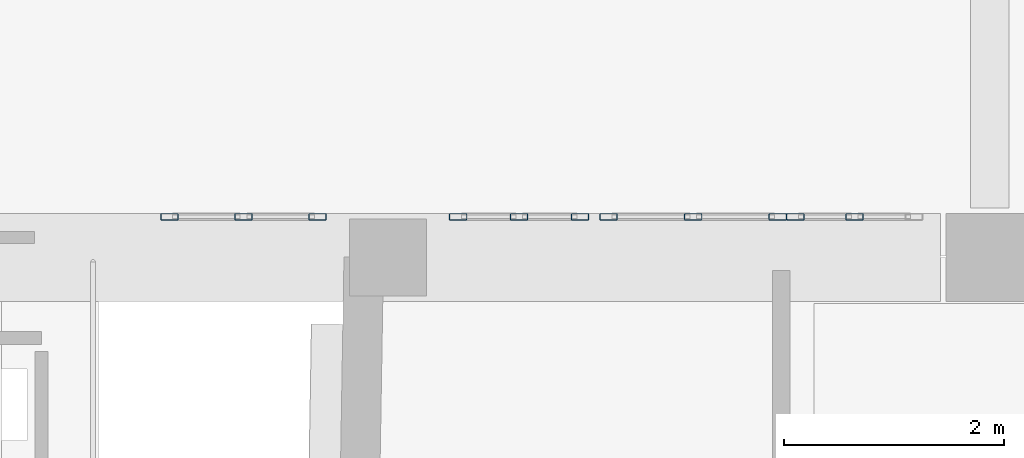
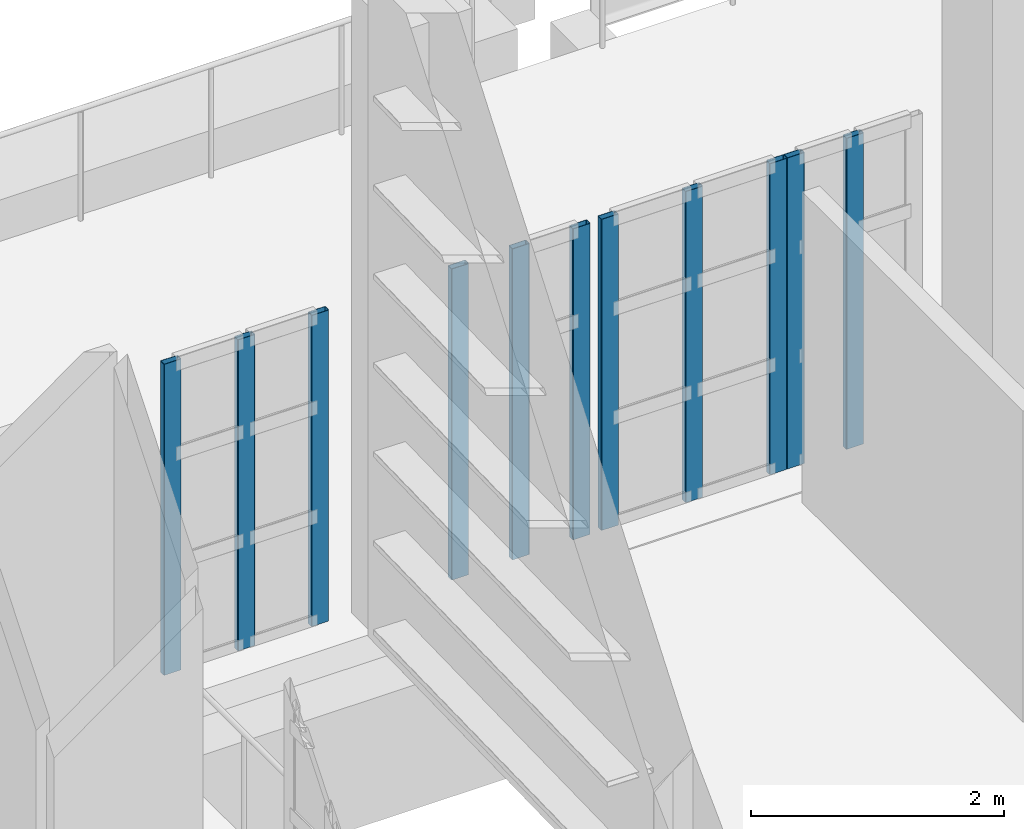
# One storey, part 16 of 73: 11 members, 4 elements without a shape of their own.
"""IFC4 building model written with IfcOpenShell, lengths in metres."""

from ifc_helpers import new_model, si_unit, direction, frame, origin, origin_2d, place, context, subcontext, project, spatial, hollow_rectangle, extrude, material, material_profile, profile_set, type_object, element, aggregate, save


model = new_model("IFC4")

# Units and contexts
model_context = context("Model", 3, precision=1e-05, world=origin(), true_north=direction((0.0, 1.0)))
body_context = subcontext(model_context, "Body", "Model", "MODEL_VIEW")
ifc_project = project(units=[si_unit("LENGTHUNIT", "METRE"), si_unit("AREAUNIT", "SQUARE_METRE"), si_unit("VOLUMEUNIT", "CUBIC_METRE"), si_unit("PLANEANGLEUNIT", "RADIAN"), si_unit("MASSUNIT", "GRAM", prefix="KILO")], contexts=[model_context])

# Site, building, storey
site_placement = place(None, origin())
site = spatial("IfcSite", under=ifc_project, at=site_placement, CompositionType="ELEMENT")
building_placement = place(site_placement, origin())
building = spatial("IfcBuilding", under=site, at=building_placement, Name="Kaelora Sail Theatre", CompositionType="ELEMENT")
storey_placement = place(building_placement, frame((0.0, 0.0, 10.199951171875)))
storey = spatial("IfcBuildingStorey", under=building, at=storey_placement, Name="L02", CompositionType="ELEMENT", Elevation=10.199951171875)

# Curtain wall, members
ifc_material_1 = material(Name="Anodised aluminium and solar-control low-E IGU", Category="aluminium")
curtain_wall_type = type_object("IfcCurtainWallType", Name="ARC-CW-CW-BRG", PredefinedType="NOTDEFINED", material=ifc_material_1)
curtain_wall_1_placement = place(storey_placement, origin())
curtain_wall_1 = element("IfcCurtainWall", 1, at=curtain_wall_1_placement, inside=storey, type_object=curtain_wall_type, Name="Glazed Foyer/Conservatory Curtain Wall FC1-S-L02-01", PredefinedType="NOTDEFINED")
ifc_material_2 = material(Name="Anodised aluminium 6063-T6", Category="aluminium")
ifc_material_profile = material_profile(ifc_material_2, hollow_rectangle(XDim=0.06005859375, YDim=0.159912109375, WallThickness=0.00390625, InnerFilletRadius=0.00390625, OuterFilletRadius=0.008056640625, at=origin_2d()), Name="ALU-MULL 60x160x4")
ifc_profile_set = profile_set([ifc_material_profile], Name="Anodised aluminium 6063-T6")
member_type = type_object("IfcMemberType", Name="ARC-MEM-ML-160", PredefinedType="MULLION", material=ifc_profile_set)
member_1_placement = place(storey_placement, frame((75.030029296875, 61.389892578125, 0.0), z_axis=(0.0, 0.0, 1.0), x_axis=(0.0, 1.0, 0.0)))
member_1 = element("IfcMember", 2, at=member_1_placement, type_object=member_type, Name="CW-BRG mullion 1", PredefinedType="MULLION", context=body_context, shape_type="SweptSolid", body=[
    extrude(hollow_rectangle(XDim=0.06005859375, YDim=0.159912109375, WallThickness=0.00390625, InnerFilletRadius=0.00390625, OuterFilletRadius=0.008056640625, at=origin_2d()), origin(), (0.0, 0.0, 1.0), 3.007080078125),
])
member_2_placement = place(storey_placement, frame((75.705078125, 61.389892578125, 0.0), z_axis=(0.0, 0.0, 1.0), x_axis=(0.0, 1.0, 0.0)))
member_2 = element("IfcMember", 3, at=member_2_placement, type_object=member_type, Name="CW-BRG mullion 2", PredefinedType="MULLION", context=body_context, shape_type="SweptSolid", body=[
    extrude(hollow_rectangle(XDim=0.06005859375, YDim=0.159912109375, WallThickness=0.00390625, InnerFilletRadius=0.00390625, OuterFilletRadius=0.008056640625, at=origin_2d()), origin(), (0.0, 0.0, 1.0), 3.007080078125),
])
member_3_placement = place(storey_placement, frame((76.3798828125, 61.389892578125, 0.0), z_axis=(0.0, 0.0, 1.0), x_axis=(0.0, 1.0, 0.0)))
member_3 = element("IfcMember", 4, at=member_3_placement, type_object=member_type, Name="CW-BRG mullion 3", PredefinedType="MULLION", context=body_context, shape_type="SweptSolid", body=[
    extrude(hollow_rectangle(XDim=0.06005859375, YDim=0.159912109375, WallThickness=0.00390625, InnerFilletRadius=0.00390625, OuterFilletRadius=0.008056640625, at=origin_2d()), origin(), (0.0, 0.0, 1.0), 3.007080078125),
])
aggregate(curtain_wall_1, [member_1, member_2, member_3])

curtain_wall_2_placement = place(storey_placement, origin())
curtain_wall_2 = element("IfcCurtainWall", 5, at=curtain_wall_2_placement, inside=storey, type_object=curtain_wall_type, Name="Glazed Foyer/Conservatory Curtain Wall FC1-S-L02-02", PredefinedType="NOTDEFINED")
member_4_placement = place(storey_placement, frame((77.659912109375, 61.389892578125, 0.0), z_axis=(0.0, 0.0, 1.0), x_axis=(0.0, 1.0, 0.0)))
member_4 = element("IfcMember", 6, at=member_4_placement, type_object=member_type, Name="CW-BRG mullion 1", PredefinedType="MULLION", context=body_context, shape_type="SweptSolid", body=[
    extrude(hollow_rectangle(XDim=0.06005859375, YDim=0.159912109375, WallThickness=0.00390625, InnerFilletRadius=0.00390625, OuterFilletRadius=0.008056640625, at=origin_2d()), origin(), (0.0, 0.0, 1.0), 3.007080078125),
])
member_5_placement = place(storey_placement, frame((78.215087890625, 61.389892578125, 0.0), z_axis=(0.0, 0.0, 1.0), x_axis=(0.0, 1.0, 0.0)))
member_5 = element("IfcMember", 7, at=member_5_placement, type_object=member_type, Name="CW-BRG mullion 2", PredefinedType="MULLION", context=body_context, shape_type="SweptSolid", body=[
    extrude(hollow_rectangle(XDim=0.06005859375, YDim=0.159912109375, WallThickness=0.00390625, InnerFilletRadius=0.00390625, OuterFilletRadius=0.008056640625, at=origin_2d()), origin(), (0.0, 0.0, 1.0), 3.007080078125),
])
member_6_placement = place(storey_placement, frame((78.77001953125, 61.389892578125, 0.0), z_axis=(0.0, 0.0, 1.0), x_axis=(0.0, 1.0, 0.0)))
member_6 = element("IfcMember", 8, at=member_6_placement, type_object=member_type, Name="CW-BRG mullion 3", PredefinedType="MULLION", context=body_context, shape_type="SweptSolid", body=[
    extrude(hollow_rectangle(XDim=0.06005859375, YDim=0.159912109375, WallThickness=0.00390625, InnerFilletRadius=0.00390625, OuterFilletRadius=0.008056640625, at=origin_2d()), origin(), (0.0, 0.0, 1.0), 3.007080078125),
])
aggregate(curtain_wall_2, [member_4, member_5, member_6])

curtain_wall_3_placement = place(storey_placement, origin())
curtain_wall_3 = element("IfcCurtainWall", 9, at=curtain_wall_3_placement, inside=storey, type_object=curtain_wall_type, Name="Glazed Foyer/Conservatory Curtain Wall FC1-S-L02-03", PredefinedType="NOTDEFINED")
member_7_placement = place(storey_placement, frame((79.030029296875, 61.389892578125, 0.0), z_axis=(0.0, 0.0, 1.0), x_axis=(0.0, 1.0, 0.0)))
member_7 = element("IfcMember", 10, at=member_7_placement, type_object=member_type, Name="CW-BRG mullion 1", PredefinedType="MULLION", context=body_context, shape_type="SweptSolid", body=[
    extrude(hollow_rectangle(XDim=0.06005859375, YDim=0.159912109375, WallThickness=0.00390625, InnerFilletRadius=0.00390625, OuterFilletRadius=0.008056640625, at=origin_2d()), origin(), (0.0, 0.0, 1.0), 3.007080078125),
])
member_8_placement = place(storey_placement, frame((79.800048828125, 61.389892578125, 0.0), z_axis=(0.0, 0.0, 1.0), x_axis=(0.0, 1.0, 0.0)))
member_8 = element("IfcMember", 11, at=member_8_placement, type_object=member_type, Name="CW-BRG mullion 2", PredefinedType="MULLION", context=body_context, shape_type="SweptSolid", body=[
    extrude(hollow_rectangle(XDim=0.06005859375, YDim=0.159912109375, WallThickness=0.00390625, InnerFilletRadius=0.00390625, OuterFilletRadius=0.008056640625, at=origin_2d()), origin(), (0.0, 0.0, 1.0), 3.007080078125),
])
member_9_placement = place(storey_placement, frame((80.570068359375, 61.389892578125, 0.0), z_axis=(0.0, 0.0, 1.0), x_axis=(0.0, 1.0, 0.0)))
member_9 = element("IfcMember", 12, at=member_9_placement, type_object=member_type, Name="CW-BRG mullion 3", PredefinedType="MULLION", context=body_context, shape_type="SweptSolid", body=[
    extrude(hollow_rectangle(XDim=0.06005859375, YDim=0.159912109375, WallThickness=0.00390625, InnerFilletRadius=0.00390625, OuterFilletRadius=0.008056640625, at=origin_2d()), origin(), (0.0, 0.0, 1.0), 3.007080078125),
])
aggregate(curtain_wall_3, [member_7, member_8, member_9])

curtain_wall_4_placement = place(storey_placement, origin())
curtain_wall_4 = element("IfcCurtainWall", 13, at=curtain_wall_4_placement, inside=storey, type_object=curtain_wall_type, Name="Glazed Foyer/Conservatory Curtain Wall FC1-S-L02-04", PredefinedType="NOTDEFINED")
member_10_placement = place(storey_placement, frame((80.72998046875, 61.389892578125, 0.0), z_axis=(0.0, 0.0, 1.0), x_axis=(0.0, 1.0, 0.0)))
member_10 = element("IfcMember", 14, at=member_10_placement, type_object=member_type, Name="CW-BRG mullion 1", PredefinedType="MULLION", context=body_context, shape_type="SweptSolid", body=[
    extrude(hollow_rectangle(XDim=0.06005859375, YDim=0.159912109375, WallThickness=0.00390625, InnerFilletRadius=0.00390625, OuterFilletRadius=0.008056640625, at=origin_2d()), origin(), (0.0, 0.0, 1.0), 3.007080078125),
])
member_11_placement = place(storey_placement, frame((81.27001953125, 61.389892578125, 0.0), z_axis=(0.0, 0.0, 1.0), x_axis=(0.0, 1.0, 0.0)))
member_11 = element("IfcMember", 15, at=member_11_placement, type_object=member_type, Name="CW-BRG mullion 2", PredefinedType="MULLION", context=body_context, shape_type="SweptSolid", body=[
    extrude(hollow_rectangle(XDim=0.06005859375, YDim=0.159912109375, WallThickness=0.00390625, InnerFilletRadius=0.00390625, OuterFilletRadius=0.008056640625, at=origin_2d()), origin(), (0.0, 0.0, 1.0), 3.007080078125),
])
aggregate(curtain_wall_4, [member_10, member_11])

save(model, "model.ifc")
